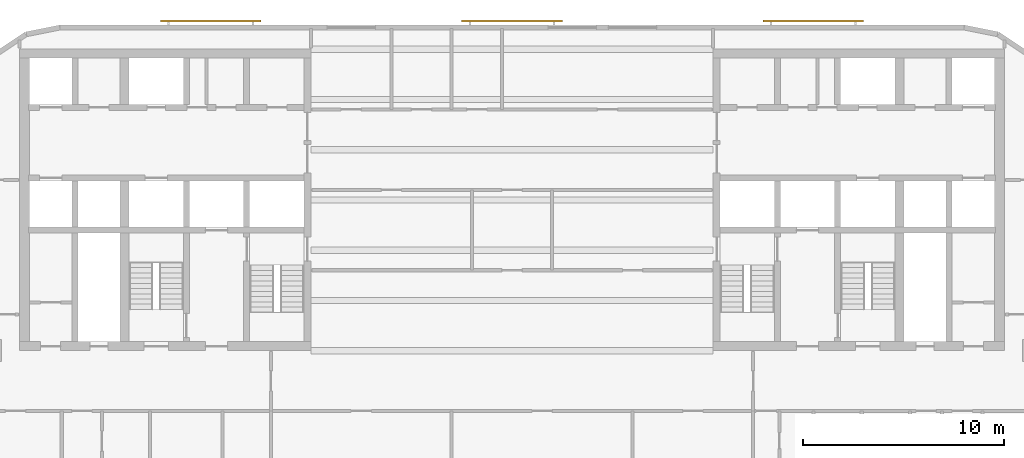
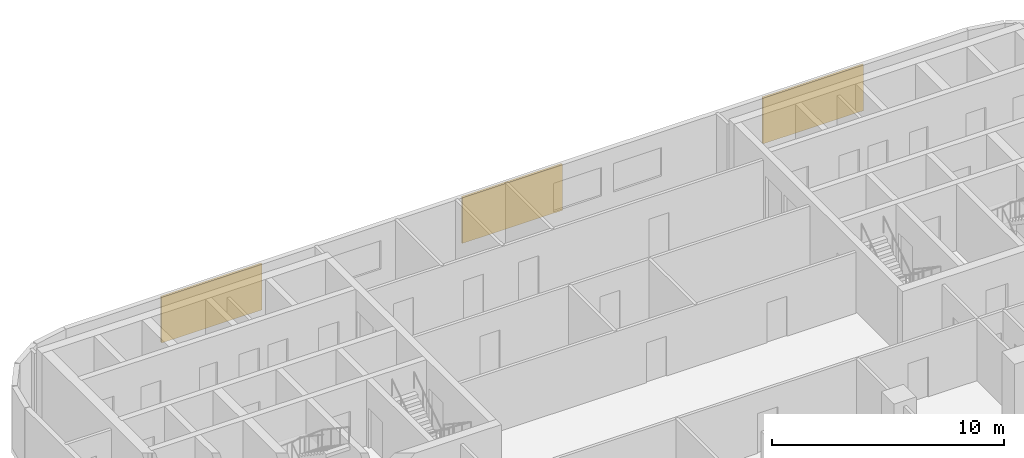
# One storey, part 10 of 11: 3 shading devices.
"""IFC4 building model written with IfcOpenShell, lengths in metres."""

from ifc_helpers import new_model, si_unit, direction, frame, origin, origin_2d, place, context, subcontext, project, spatial, rectangle, extrude, material, layer, layer_set, type_object, element, save


model = new_model("IFC4")

# Units and contexts
model_context = context("Model", 3, precision=1e-05, world=origin(), true_north=direction((0.0, 1.0)))
body_context = subcontext(model_context, "Body", "Model", "MODEL_VIEW")
ifc_project = project(units=[si_unit("LENGTHUNIT", "METRE"), si_unit("AREAUNIT", "SQUARE_METRE"), si_unit("VOLUMEUNIT", "CUBIC_METRE"), si_unit("PLANEANGLEUNIT", "RADIAN"), si_unit("MASSUNIT", "GRAM", prefix="KILO")], contexts=[model_context])

# Site, building, storey
site_placement = place(None, origin())
site = spatial("IfcSite", under=ifc_project, at=site_placement, CompositionType="ELEMENT")
building_placement = place(site_placement, origin())
building = spatial("IfcBuilding", under=site, at=building_placement, Name="Torana Hotel and Residences", CompositionType="ELEMENT")
storey_placement = place(building_placement, frame((0.0, 0.0, 225.60009765625)))
storey = spatial("IfcBuildingStorey", under=building, at=storey_placement, Name="L59", CompositionType="ELEMENT", Elevation=225.60009765625)

# Shading devices
ifc_material = material(Name="Concrete C40/50 precast", Category="concrete")
ifc_layer = layer(ifc_material, 0.10009765625)
ifc_layer_set = layer_set([ifc_layer], Name="SC1 PERFORATED BLOCK SCREEN PANEL 100")
shading_device_type = type_object("IfcShadingDeviceType", Name="SC1 PERFORATED BLOCK SCREEN PANEL 100", PredefinedType="USERDEFINED", material=ifc_layer_set)
for number, where, z_axis, x_axis, name in (
    (1, (14.983642578125, 1.39990234375, 0.5), (0.0, 0.0, 1.0), (-1.0, 0.0, 0.0), "Perforated block screen L59"),
    (2, (0.0, 1.39990234375, 0.5), (0.0, 0.0, 1.0), (-1.0, 0.0, 0.0), "Perforated block screen L59"),
    (3, (-14.983642578125, 1.39990234375, 0.5), (0.0, 0.0, 1.0), (-1.0, 0.0, 0.0), "Perforated block screen L59"),
):
    element("IfcShadingDevice", number, at=place(storey_placement, frame(where, z_axis=z_axis, x_axis=x_axis)), inside=storey, type_object=shading_device_type, Name=name, ObjectType="SCREEN", PredefinedType="USERDEFINED", context=body_context, shape_type="SweptSolid", body=[
        extrude(rectangle(XDim=5.0, YDim=0.10009765625, at=origin_2d()), origin(), (0.0, 0.0, 1.0), 2.419921875),
    ])

save(model, "model.ifc")
